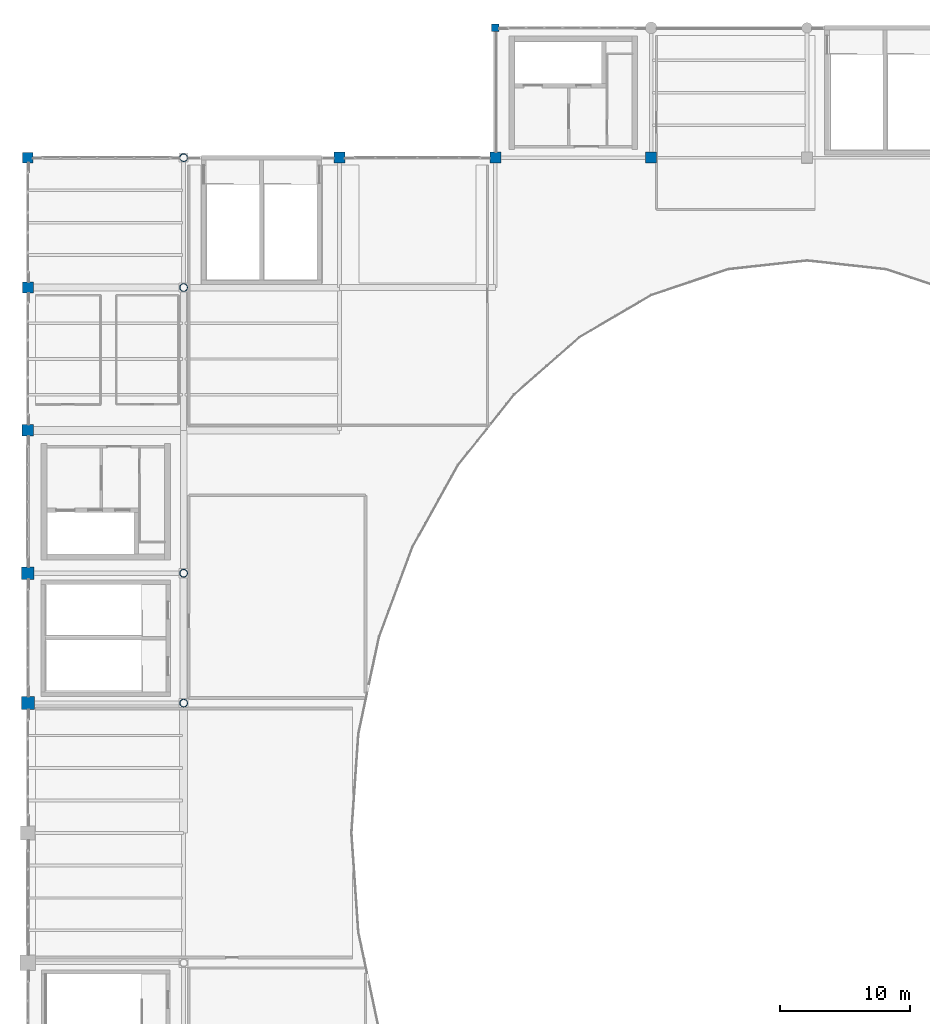
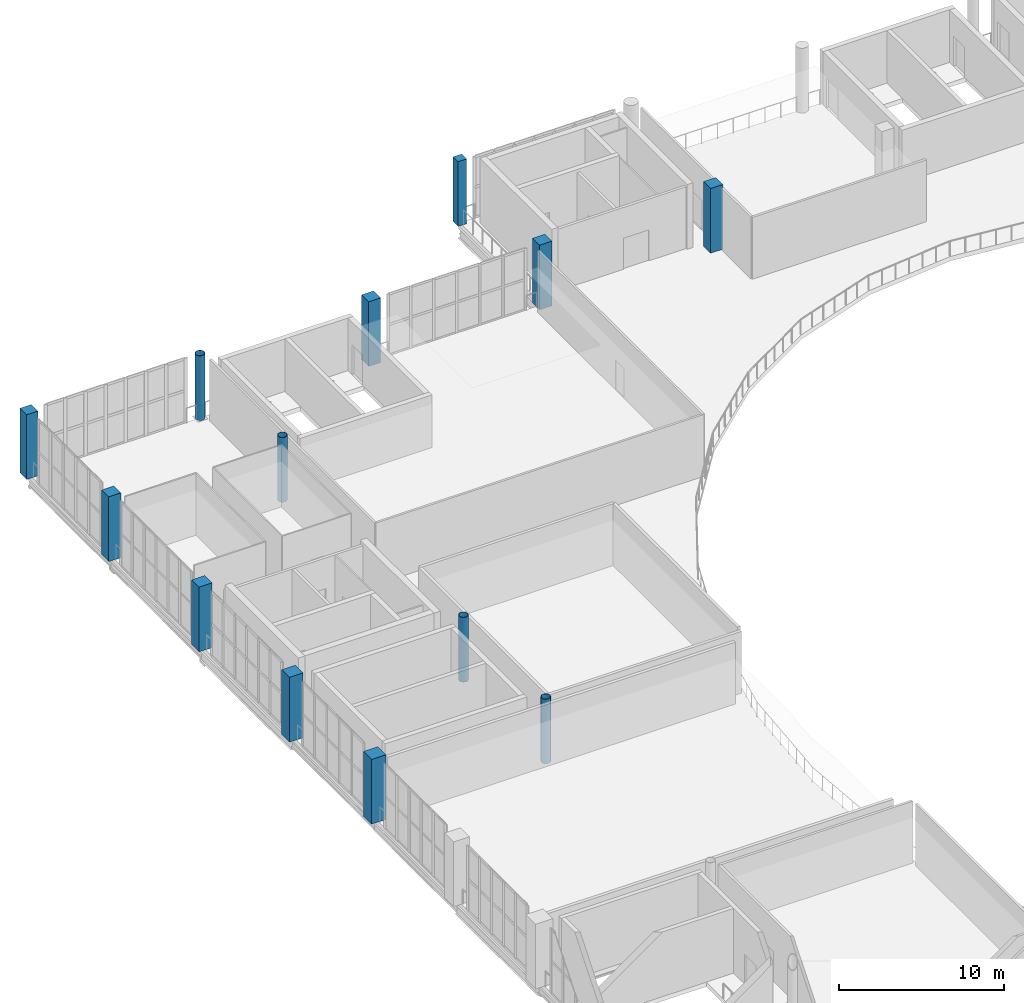
# One storey, part 4 of 49: 13 columns.
"""IFC4 building model written with IfcOpenShell, lengths in metres."""

import ifcopenshell
import ifcopenshell.guid

model = None  # the IFC model being written
_history = None  # IfcOwnerHistory: only IFC2X3 demands one
_inside = {}  # id of a spatial element -> (the spatial element, [elements in it])
_under = {}  # id of a project, library or spatial element -> (it, [spatial elements below it])
_declared = {}  # id of a project -> (the project, [libraries it declares])
_typed = {}  # id of a type object -> (the type object, [elements of that type])
_made_of = {}  # id of a material, layer set ... -> (it, [elements and type objects made of it])


def new_model(schema):
    """Start an empty IFC model of exactly this schema.

    Asked for "IFC4X3", IfcOpenShell would pick the latest addendum, in which some entities
    have other attributes; the version numbers below select the first issue.
    IFC2X3 requires an IfcOwnerHistory on every rooted entity: one is made here for all.
    """
    global model, _history
    if schema == "IFC4X3":
        model = ifcopenshell.file(schema_version=(4, 3, 0, 0))
    else:
        model = ifcopenshell.file(schema=schema)
    _inside.clear()
    _under.clear()
    _declared.clear()
    _typed.clear()
    _made_of.clear()
    _history = None
    if model.schema == "IFC2X3":
        org = make("IfcOrganization", Name="unknown")
        user = make(
            "IfcPersonAndOrganization",
            ThePerson=make("IfcPerson", FamilyName="unknown"),
            TheOrganization=org,
        )
        app = make(
            "IfcApplication",
            ApplicationDeveloper=org,
            Version="unknown",
            ApplicationFullName="unknown",
            ApplicationIdentifier="unknown",
        )
        _history = make(
            "IfcOwnerHistory",
            OwningUser=user,
            OwningApplication=app,
            ChangeAction="ADDED",
            CreationDate=0,
        )
    return model


def make(cls, **values):
    """One entity of the class cls with the attributes given. An attribute that is None is left unset."""
    return model.create_entity(
        cls, **{name: value for name, value in values.items() if value is not None}
    )


def rooted(cls, **values):
    """An entity with a GlobalId (a new one), such as an element, a storey or a relation."""
    return make(cls, GlobalId=ifcopenshell.guid.new(), OwnerHistory=_history, **values)


def si_unit(unit_type, name, prefix=None):
    """IfcSIUnit, for example si_unit("LENGTHUNIT", "METRE", prefix="MILLI")."""
    return make("IfcSIUnit", UnitType=unit_type, Prefix=prefix, Name=name)


def assignment(units):
    """IfcUnitAssignment: the units of a project."""
    return None if units is None else make("IfcUnitAssignment", Units=units)


def point(xyz):
    """IfcCartesianPoint."""
    return None if xyz is None else make("IfcCartesianPoint", Coordinates=xyz)


def direction(xyz):
    """IfcDirection."""
    return None if xyz is None else make("IfcDirection", DirectionRatios=xyz)


def frame(location, z_axis=None, x_axis=None):
    """IfcAxis2Placement3D, a coordinate frame: its origin and axes. An axis left out is left unset."""
    return make(
        "IfcAxis2Placement3D",
        Location=point(location),
        Axis=direction(z_axis),
        RefDirection=direction(x_axis),
    )


def frame_2d(location, x_axis=None):
    """IfcAxis2Placement2D, a coordinate frame in the plane: its origin and x axis."""
    return make(
        "IfcAxis2Placement2D", Location=point(location), RefDirection=direction(x_axis)
    )


def origin():
    """The frame at (0, 0, 0) with its axes left unset."""
    return frame((0.0, 0.0, 0.0))


def origin_2d():
    """The frame at (0, 0) in the plane with its x axis left unset."""
    return frame_2d((0.0, 0.0))


def place(relative_to, where):
    """IfcLocalPlacement: puts the frame where relative to a parent placement (None: the world)."""
    return make(
        "IfcLocalPlacement", PlacementRelTo=relative_to, RelativePlacement=where
    )


def context(
    kind, dimensions, precision=None, world=None, true_north=None, identifier=None
):
    """IfcGeometricRepresentationContext, for example the 3D "Model" context."""
    return make(
        "IfcGeometricRepresentationContext",
        ContextIdentifier=identifier,
        ContextType=kind,
        CoordinateSpaceDimension=dimensions,
        Precision=precision,
        WorldCoordinateSystem=world,
        TrueNorth=true_north,
    )


def subcontext(parent, identifier, kind, view, scale=None):
    """IfcGeometricRepresentationSubContext, for example "Body" below "Model"."""
    return make(
        "IfcGeometricRepresentationSubContext",
        ContextIdentifier=identifier,
        ContextType=kind,
        ParentContext=parent,
        TargetScale=scale,
        TargetView=view,
    )


def project(units=None, contexts=None):
    """IfcProject with its units and contexts."""
    return rooted(
        "IfcProject",
        Name="project",
        RepresentationContexts=contexts,
        UnitsInContext=assignment(units),
    )


def spatial(cls, under=None, at=None, **own):
    """A site, building, storey or space (cls), placed at a placement, below another one or the project."""
    s = rooted(cls, ObjectPlacement=at, **own)
    if under is not None:
        _under.setdefault(under.id(), (under, []))[1].append(s)
    return s


def profile(cls, at=None, kind="AREA", **sizes):
    """A parametric profile (cls). Its sizes go by their IFC names, for example OverallWidth=200.0."""
    return make(cls, ProfileType=kind, Position=at, **sizes)


def rectangle(**sizes):
    """IfcRectangleProfileDef."""
    return profile("IfcRectangleProfileDef", **sizes)


def hollow_circle(**sizes):
    """IfcCircleHollowProfileDef."""
    return profile("IfcCircleHollowProfileDef", **sizes)


def extrude(swept, where, along, depth):
    """IfcExtrudedAreaSolid: the profile swept, set in the frame where, extruded along a direction by depth."""
    return make(
        "IfcExtrudedAreaSolid",
        SweptArea=swept,
        Position=where,
        ExtrudedDirection=direction(along),
        Depth=depth,
    )


def shape(context_of_items, identifier, shape_type, items):
    """IfcShapeRepresentation: the items that make up one representation, for example the "Body"."""
    return make(
        "IfcShapeRepresentation",
        ContextOfItems=context_of_items,
        RepresentationIdentifier=identifier,
        RepresentationType=shape_type,
        Items=items,
    )


def material(Name=None, Category=None):
    """IfcMaterial."""
    return make("IfcMaterial", Name=Name, Category=Category)


def material_profile(
    of_material, cross_section, Name=None, Category=None, Priority=None
):
    """IfcMaterialProfile: a cross section and its material."""
    return make(
        "IfcMaterialProfile",
        Name=Name,
        Material=of_material,
        Profile=cross_section,
        Priority=Priority,
        Category=Category,
    )


def profile_set(profiles, Name=None, composite=None):
    """IfcMaterialProfileSet."""
    return make(
        "IfcMaterialProfileSet",
        Name=Name,
        MaterialProfiles=profiles,
        CompositeProfile=composite,
    )


def made_of(thing, what):
    """Note that an element or type object is made of a material, layer set ...; save() writes the relation."""
    if what is not None:
        _made_of.setdefault(what.id(), (what, []))[1].append(thing)
    return thing


def type_object(cls, material=None, **own):
    """A type object (cls), such as IfcWallType, which elements share."""
    return made_of(rooted(cls, **own), material)


def element(
    cls,
    number,
    at=None,
    inside=None,
    cuts=None,
    type_object=None,
    material=None,
    context=None,
    identifier="Body",
    shape_type=None,
    held_by="IfcProductDefinitionShape",
    body=None,
    shapes=None,
    **own,
):
    """One element of the class cls, such as IfcWall. Its Tag is "e" and its number.

    at: its placement. inside: the storey or other place that contains it. cuts: it is an
    opening in that element (IfcRelVoidsElement). A single representation is given by context,
    identifier, shape_type and body (its items); several are given by shapes. held_by: the class
    of the entity that holds the representations. save() writes the other relations.
    """
    e = rooted(cls, Tag="e%d" % number, ObjectPlacement=at, **own)
    if body is not None:
        shapes = [shape(context, identifier, shape_type, body)]
    if shapes is not None:
        e.Representation = make(held_by, Representations=shapes)
    if inside is not None:
        _inside.setdefault(inside.id(), (inside, []))[1].append(e)
    if cuts is not None:
        rooted(
            "IfcRelVoidsElement", RelatingBuildingElement=cuts, RelatedOpeningElement=e
        )
    if type_object is not None:
        _typed.setdefault(type_object.id(), (type_object, []))[1].append(e)
    return made_of(e, material)


def aggregate(whole, parts):
    """IfcRelAggregates: a whole, such as a stair, and the parts it consists of."""
    return rooted("IfcRelAggregates", RelatingObject=whole, RelatedObjects=parts)


def save(model, path):
    """Write the relations noted so far, then the file.

    IfcRelAggregates (storeys below a building ...), IfcRelContainedInSpatialStructure (elements
    in a storey), IfcRelDefinesByType, IfcRelAssociatesMaterial and IfcRelDeclares: one each for
    every whole, place, type object, material and project.
    """
    for whole, parts in _under.values():
        aggregate(whole, parts)
    for where, things in _inside.values():
        rooted(
            "IfcRelContainedInSpatialStructure",
            RelatedElements=things,
            RelatingStructure=where,
        )
    for kind, things in _typed.values():
        rooted("IfcRelDefinesByType", RelatedObjects=things, RelatingType=kind)
    for what, things in _made_of.values():
        rooted("IfcRelAssociatesMaterial", RelatedObjects=things, RelatingMaterial=what)
    for by, libraries in _declared.values():
        rooted("IfcRelDeclares", RelatingContext=by, RelatedDefinitions=libraries)
    model.write(path)


model = new_model("IFC4")

# Units and contexts
model_context = context("Model", 3, precision=1e-05, world=origin(), true_north=direction((0.0, 1.0)))
body_context = subcontext(model_context, "Body", "Model", "MODEL_VIEW")
ifc_project = project(units=[si_unit("LENGTHUNIT", "METRE"), si_unit("AREAUNIT", "SQUARE_METRE"), si_unit("VOLUMEUNIT", "CUBIC_METRE"), si_unit("PLANEANGLEUNIT", "RADIAN"), si_unit("MASSUNIT", "GRAM", prefix="KILO")], contexts=[model_context])

# Site, building, storey
site_placement = place(None, origin())
site = spatial("IfcSite", under=ifc_project, at=site_placement, CompositionType="ELEMENT")
building_placement = place(site_placement, origin())
building = spatial("IfcBuilding", under=site, at=building_placement, Name="Brinegate Civic Arena", CompositionType="ELEMENT")
storey_placement = place(building_placement, frame((0.0, 0.0, 24.60009765625)))
storey = spatial("IfcBuildingStorey", under=building, at=storey_placement, Name="L05", CompositionType="ELEMENT", Elevation=24.60009765625)

# Columns
ifc_material_1 = material(Name="Concrete C50/60", Category="concrete")
ifc_material_profile_1 = material_profile(ifc_material_1, rectangle(XDim=1.0, YDim=1.0, at=origin_2d()), Name="RC1000X1000")
ifc_profile_set_1 = profile_set([ifc_material_profile_1], Name="Concrete C50/60")
column_type_1 = type_object("IfcColumnType", Name="COL-CC03-1000", PredefinedType="COLUMN", material=ifc_profile_set_1)
column_1_placement = place(storey_placement, frame((48.0, 72.0, 0.0), z_axis=(0.0, 0.0, 1.0), x_axis=(1.0, 0.0, 0.0)))
element("IfcColumn", 1, at=column_1_placement, inside=storey, type_object=column_type_1, Name="Column COL-L05-5-H", PredefinedType="COLUMN", context=body_context, shape_type="SweptSolid", body=[
    extrude(rectangle(XDim=1.0, YDim=1.0, at=origin_2d()), origin(), (0.0, 0.0, 1.0), 4.7998046875),
])
ifc_material_profile_2 = material_profile(ifc_material_1, rectangle(XDim=0.949951171875, YDim=0.949951171875, at=origin_2d()), Name="RC950X950")
ifc_profile_set_2 = profile_set([ifc_material_profile_2], Name="Concrete C50/60")
column_type_2 = type_object("IfcColumnType", Name="COL-CC04-950", PredefinedType="COLUMN", material=ifc_profile_set_2)
column_2_placement = place(storey_placement, frame((48.0, 82.0, 0.0), z_axis=(0.0, 0.0, 1.0), x_axis=(1.0, 0.0, 0.0)))
element("IfcColumn", 2, at=column_2_placement, inside=storey, type_object=column_type_2, Name="Column COL-L05-5-J", PredefinedType="COLUMN", context=body_context, shape_type="SweptSolid", body=[
    extrude(rectangle(XDim=0.949951171875, YDim=0.949951171875, at=origin_2d()), origin(), (0.0, 0.0, 1.0), 4.7998046875),
])
ifc_material_profile_3 = material_profile(ifc_material_1, rectangle(XDim=0.89990234375, YDim=0.89990234375, at=origin_2d()), Name="RC900X900")
ifc_profile_set_3 = profile_set([ifc_material_profile_3], Name="Concrete C50/60")
column_type_3 = type_object("IfcColumnType", Name="COL-CC05-900", PredefinedType="COLUMN", material=ifc_profile_set_3)
column_3_placement = place(storey_placement, frame((48.0, 93.0, 0.0), z_axis=(0.0, 0.0, 1.0), x_axis=(1.0, 0.0, 0.0)))
element("IfcColumn", 3, at=column_3_placement, inside=storey, type_object=column_type_3, Name="Column COL-L05-5-K", PredefinedType="COLUMN", context=body_context, shape_type="SweptSolid", body=[
    extrude(rectangle(XDim=0.89990234375, YDim=0.89990234375, at=origin_2d()), origin(), (0.0, 0.0, 1.0), 4.7998046875),
])
ifc_material_profile_4 = material_profile(ifc_material_1, rectangle(XDim=0.85009765625, YDim=0.85009765625, at=origin_2d()), Name="RC850X850")
ifc_profile_set_4 = profile_set([ifc_material_profile_4], Name="Concrete C50/60")
column_type_4 = type_object("IfcColumnType", Name="COL-CC06-850", PredefinedType="COLUMN", material=ifc_profile_set_4)
for number, where, z_axis, x_axis, name in (
    (4, (48.0, 104.0, 0.0), (0.0, 0.0, 1.0), (1.0, 0.0, 0.0), "Column COL-L05-5-L"),
    (5, (72.0, 114.0, 0.0), (0.0, 0.0, 1.0), (1.0, 0.0, 0.0), "Column COL-L05-7-M"),
    (6, (84.0, 114.0, 0.0), (0.0, 0.0, 1.0), (1.0, 0.0, 0.0), "Column COL-L05-8-M"),
    (7, (96.0, 114.0, 0.0), (0.0, 0.0, 1.0), (1.0, 0.0, 0.0), "Column COL-L05-9-M"),
):
    element("IfcColumn", number, at=place(storey_placement, frame(where, z_axis=z_axis, x_axis=x_axis)), inside=storey, type_object=column_type_4, Name=name, PredefinedType="COLUMN", context=body_context, shape_type="SweptSolid", body=[
        extrude(rectangle(XDim=0.85009765625, YDim=0.85009765625, at=origin_2d()), origin(), (0.0, 0.0, 1.0), 4.7998046875),
    ])
ifc_material_profile_5 = material_profile(ifc_material_1, rectangle(XDim=0.800048828125, YDim=0.800048828125, at=origin_2d()), Name="RC800X800")
ifc_profile_set_5 = profile_set([ifc_material_profile_5], Name="Concrete C50/60")
column_type_5 = type_object("IfcColumnType", Name="COL-CC07-800", PredefinedType="COLUMN", material=ifc_profile_set_5)
column_4_placement = place(storey_placement, frame((48.0, 114.0, 0.0), z_axis=(0.0, 0.0, 1.0), x_axis=(1.0, 0.0, 0.0)))
element("IfcColumn", 8, at=column_4_placement, inside=storey, type_object=column_type_5, Name="Column COL-L05-5-M", PredefinedType="COLUMN", context=body_context, shape_type="SweptSolid", body=[
    extrude(rectangle(XDim=0.800048828125, YDim=0.800048828125, at=origin_2d()), origin(), (0.0, 0.0, 1.0), 4.7998046875),
])
ifc_material_profile_6 = material_profile(ifc_material_1, rectangle(XDim=0.60009765625, YDim=0.60009765625, at=origin_2d()), Name="RC600X600")
ifc_profile_set_6 = profile_set([ifc_material_profile_6], Name="Concrete C50/60")
column_type_6 = type_object("IfcColumnType", Name="COL-CC11-600", PredefinedType="COLUMN", material=ifc_profile_set_6)
column_5_placement = place(storey_placement, frame((84.0, 124.0, 0.0), z_axis=(0.0, 0.0, 1.0), x_axis=(1.0, 0.0, 0.0)))
element("IfcColumn", 9, at=column_5_placement, inside=storey, type_object=column_type_6, Name="Column COL-L05-8-N", PredefinedType="COLUMN", context=body_context, shape_type="SweptSolid", body=[
    extrude(rectangle(XDim=0.60009765625, YDim=0.60009765625, at=origin_2d()), origin(), (0.0, 0.0, 1.0), 4.7998046875),
])
ifc_material_2 = material(Name="Steel S355", Category="steel")
ifc_material_profile_7 = material_profile(ifc_material_2, hollow_circle(Radius=0.304931640625, WallThickness=0.02490234375, at=origin_2d()), Name="CHS610X25")
ifc_profile_set_7 = profile_set([ifc_material_profile_7], Name="Steel S355")
column_type_7 = type_object("IfcColumnType", Name="COL-SC05-CHS610", PredefinedType="COLUMN", material=ifc_profile_set_7)
for number, where, z_axis, x_axis, name in (
    (10, (60.0, 72.0, 0.0), (0.0, 0.0, 1.0), (1.0, 0.0, 0.0), "Space Frame West Drum Column W-05-L05"),
    (11, (60.0, 82.0, 0.0), (0.0, 0.0, 1.0), (1.0, 0.0, 0.0), "Space Frame West Drum Column W-06-L05"),
    (12, (60.0, 104.0, 0.0), (0.0, 0.0, 1.0), (1.0, 0.0, 0.0), "Space Frame West Drum Column W-07-L05"),
    (13, (60.0, 114.0, 0.0), (0.0, 0.0, 1.0), (1.0, 0.0, 0.0), "Space Frame West Drum Column W-08-L05"),
):
    element("IfcColumn", number, at=place(storey_placement, frame(where, z_axis=z_axis, x_axis=x_axis)), inside=storey, type_object=column_type_7, Name=name, PredefinedType="COLUMN", context=body_context, shape_type="SweptSolid", body=[
        extrude(hollow_circle(Radius=0.304931640625, WallThickness=0.02490234375, at=origin_2d()), origin(), (0.0, 0.0, 1.0), 4.7998046875),
    ])

save(model, "model.ifc")
